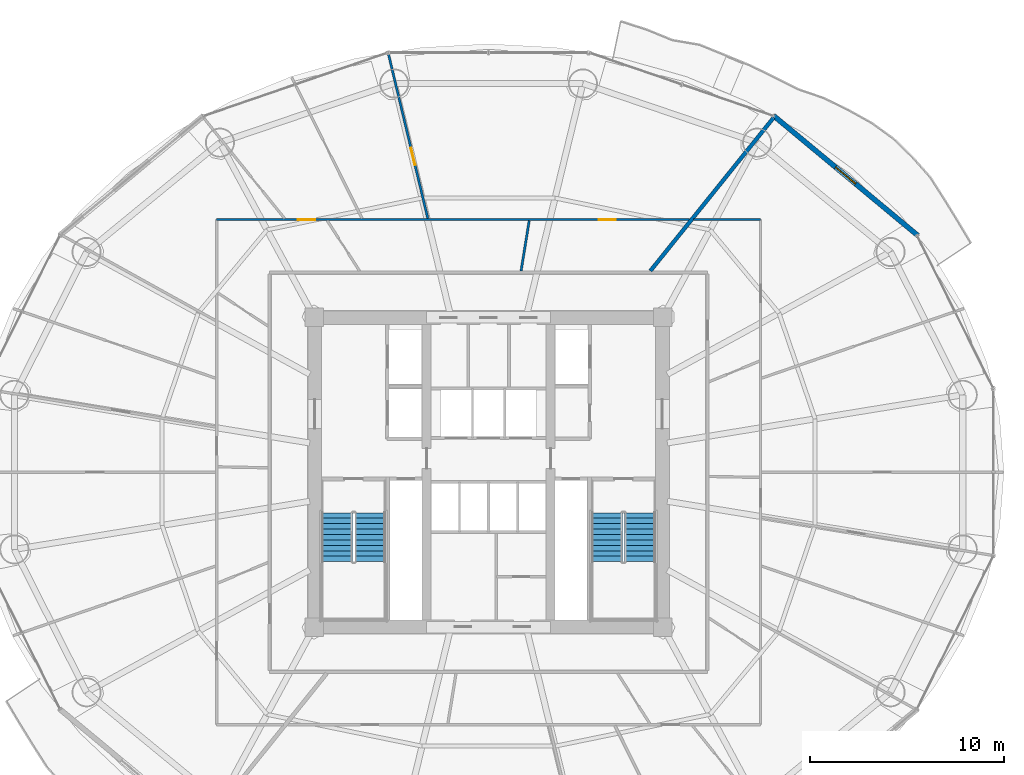
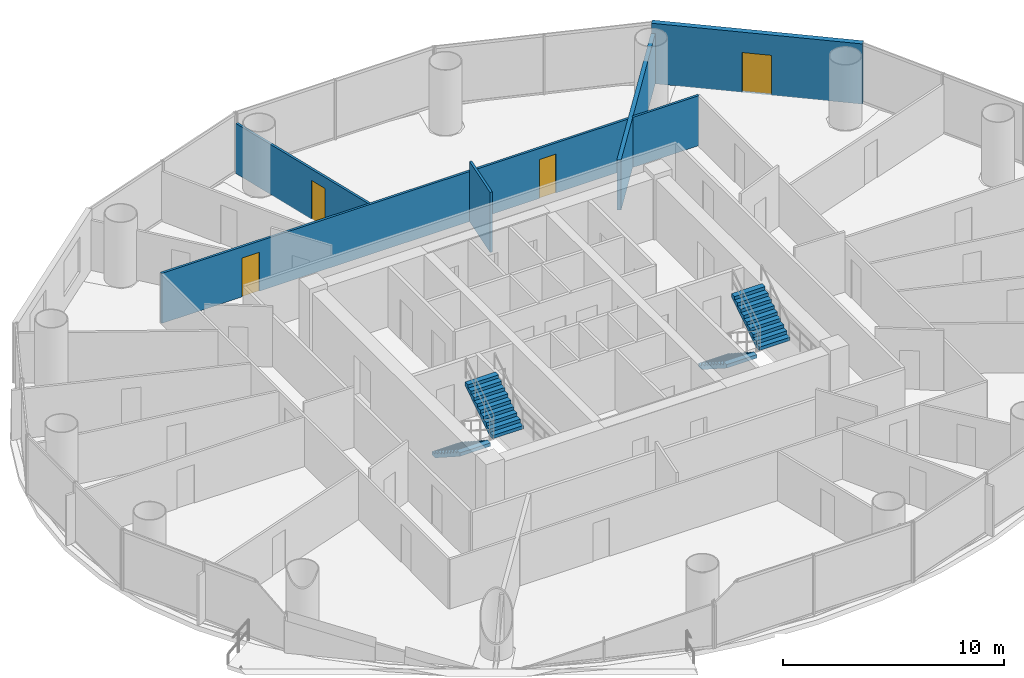
# One storey, part 25 of 29: 6 walls, 4 doors, 4 stair flights, 4 openings, 2 elements without a shape of their own.
"""IFC4 building model written with IfcOpenShell, lengths in metres."""

from ifc_helpers import new_model, si_unit, direction, frame, frame_2d, origin, place, context, subcontext, project, spatial, polyline, rectangle, outline, extrude, source, transform, mapped, material, layer, layer_set, type_object, element, fill, aggregate, save


model = new_model("IFC4")

# Units and contexts
model_context = context("Model", 3, precision=1e-05, world=origin(), true_north=direction((-0.2419218956, 0.970295726276)))
body_context = subcontext(model_context, "Body", "Model", "MODEL_VIEW")
ifc_project = project(units=[si_unit("LENGTHUNIT", "METRE"), si_unit("AREAUNIT", "SQUARE_METRE"), si_unit("VOLUMEUNIT", "CUBIC_METRE"), si_unit("PLANEANGLEUNIT", "RADIAN"), si_unit("MASSUNIT", "GRAM", prefix="KILO")], contexts=[model_context])

# Site, building, storey
site_placement = place(None, origin())
site = spatial("IfcSite", under=ifc_project, at=site_placement, CompositionType="ELEMENT")
building_placement = place(site_placement, origin())
building = spatial("IfcBuilding", under=site, at=building_placement, Name="Cobrevalo Terracotta Tower", CompositionType="ELEMENT")
storey_placement = place(building_placement, frame((0.0, 0.0, 115.800048828125)))
storey = spatial("IfcBuildingStorey", under=building, at=storey_placement, Name="L30", CompositionType="ELEMENT", Elevation=115.800048828125)

# Wall
ifc_material_1 = material(Name="Autoclaved aerated concrete block", Category="concrete")
ifc_layer_1 = layer(ifc_material_1, 0.199951171875)
ifc_layer_set_1 = layer_set([ifc_layer_1], Name="Autoclaved aerated concrete block")
wall_type_1 = type_object("IfcWallType", Name="Fire-rated stair, shaft & demising masonry wall 200 mm", PredefinedType="PARTITIONING", material=ifc_layer_set_1)
wall_1_placement = place(storey_placement, frame((46.35205078125, 37.18505859375, 0.0), z_axis=(0.0, 0.0, 1.0), x_axis=(0.626712884514, 0.779250255299, 0.0)))
element("IfcWall", 1, at=wall_1_placement, inside=storey, type_object=wall_type_1, Name="L30 interior partition IW-L30-DEM-1", PredefinedType="PARTITIONING", context=body_context, shape_type="SweptSolid", body=[
    extrude(rectangle(XDim=10.140869140625, YDim=0.199951171875, at=frame_2d((5.0703125, 0.0))), origin(), (0.0, 0.0, 1.0), 2.766845703125),
])

# Wall, opening, door
ifc_layer_2 = layer(ifc_material_1, 0.260009765625)
ifc_layer_set_2 = layer_set([ifc_layer_2], Name="Autoclaved aerated concrete block")
wall_type_2 = type_object("IfcWallType", Name="Recessed balcony loggia insulated exterior wall 260 mm", PredefinedType="SOLIDWALL", material=ifc_layer_set_2)
wall_2_placement = place(storey_placement, frame((60.15380859375, 39.01025390625, 0.0), z_axis=(0.0, 0.0, 1.0), x_axis=(-0.769242574941, 0.638956853706, 0.0)))
wall_2 = element("IfcWall", 2, at=wall_2_placement, inside=storey, type_object=wall_type_2, Name="L30 balcony loggia wall S02", PredefinedType="SOLIDWALL", context=body_context, shape_type="SweptSolid", body=[
    extrude(rectangle(XDim=9.68994140625, YDim=0.260009765625, at=frame_2d((4.844970703125, 0.0))), origin(), (0.0, 0.0, 1.0), 3.324951171875),
])
opening_1_placement = place(wall_2_placement, frame((4.169921875, 0.0, 0.0)))
opening_1 = element("IfcOpeningElement", 3, at=opening_1_placement, cuts=wall_2, Name="Opening ED-05", PredefinedType="OPENING", context=body_context, shape_type="SweptSolid", body=[
    extrude(rectangle(XDim=1.35009765625, YDim=2.199951171875, at=frame_2d((0.675048828125, 1.10009765625))), frame((0.0, 0.14013671875, 0.0), z_axis=(0.0, -1.0, 0.0), x_axis=(1.0, 0.0, 0.0)), (0.0, 0.0, 1.0), 0.280029296875),
])
ifc_material_2 = material(Name="Anodized aluminium and laminated glass", Category="aluminium")
door_type_1 = type_object("IfcDoorType", Name="Suite balcony acoustic glazed terrace door 1350x2200", OperationType="NOTDEFINED", PredefinedType="DOOR", material=ifc_material_2)
shared_shape_1 = source(origin(), body_context, "Body", "SweptSolid", [
    extrude(rectangle(XDim=1.35009765625, YDim=2.199951171875, at=frame_2d((0.675048828125, 1.10009765625))), frame((0.0, 0.02490234375, 0.0), z_axis=(0.0, -1.0, 0.0), x_axis=(1.0, 0.0, 0.0)), (0.0, 0.0, 1.0), 0.050048828125),
])
door_1_placement = place(opening_1_placement, frame((1.35009765625, 0.0, 0.0), z_axis=(0.0, 0.0, 1.0), x_axis=(-1.0, 0.0, 0.0)))
door_1 = element("IfcDoor", 4, at=door_1_placement, inside=storey, type_object=door_type_1, Name="L30 glazed balcony terrace door 1", OperationType="SINGLE_SWING_LEFT", OverallHeight=2.199951171875, OverallWidth=1.35009765625, PredefinedType="DOOR", context=body_context, shape_type="MappedRepresentation", body=[
    mapped(shared_shape_1, transform((0.0, 0.0, 0.0), scale=1.0)),
])
fill(opening_1, door_1)

# Wall, openings, doors
ifc_material_3 = material(Name="Gypsum board on steel stud", Category="steel")
ifc_layer_3 = layer(ifc_material_3, 0.1201171875)
ifc_layer_set_3 = layer_set([ifc_layer_3], Name="Gypsum board on steel stud")
wall_type_3 = type_object("IfcWallType", Name="Residential internal acoustic stud partition 120 mm", PredefinedType="PARTITIONING", material=ifc_layer_set_3)
wall_3_placement = place(storey_placement, frame((23.965087890625, 39.8349609375, 0.0), z_axis=(0.0, 0.0, 1.0), x_axis=(1.0, 0.0, 0.0)))
wall_3 = element("IfcWall", 5, at=wall_3_placement, inside=storey, type_object=wall_type_3, Name="L30 interior partition IW-L30-U1-RING2_0", PredefinedType="PARTITIONING", context=body_context, shape_type="SweptSolid", body=[
    extrude(rectangle(XDim=24.416015625, YDim=0.1201171875, at=frame_2d((12.2080078125, 0.0))), origin(), (0.0, 0.0, 1.0), 2.766845703125),
])
opening_2_placement = place(wall_3_placement, frame((4.192138671875, 0.0, 0.0)))
opening_2 = element("IfcOpeningElement", 6, at=opening_2_placement, cuts=wall_3, Name="Opening ID-12", PredefinedType="OPENING", context=body_context, shape_type="SweptSolid", body=[
    extrude(rectangle(XDim=0.89990234375, YDim=2.14990234375, at=frame_2d((0.449951171875, 1.074951171875))), frame((0.0, 0.070068359375, 0.0), z_axis=(0.0, -1.0, 0.0), x_axis=(1.0, 0.0, 0.0)), (0.0, 0.0, 1.0), 0.14013671875),
])
opening_3_placement = place(wall_3_placement, frame((19.727783203125, 0.0, 0.0)))
opening_3 = element("IfcOpeningElement", 7, at=opening_3_placement, cuts=wall_3, Name="Opening ID-19", PredefinedType="OPENING", context=body_context, shape_type="SweptSolid", body=[
    extrude(rectangle(XDim=0.860107421875, YDim=2.14990234375, at=frame_2d((0.43017578125, 1.074951171875))), frame((0.0, 0.070068359375, 0.0), z_axis=(0.0, -1.0, 0.0), x_axis=(1.0, 0.0, 0.0)), (0.0, 0.0, 1.0), 0.14013671875),
])
ifc_material_4 = material(Name="Moisture-sealed timber", Category="wood")
door_type_2 = type_object("IfcDoorType", Name="Suite bathroom internal timber door 860x2150", OperationType="NOTDEFINED", PredefinedType="DOOR", material=ifc_material_4)
shared_shape_2 = source(origin(), body_context, "Body", "SweptSolid", [
    extrude(rectangle(XDim=0.860107421875, YDim=2.14990234375, at=frame_2d((0.43017578125, 1.074951171875))), frame((0.0, 0.02490234375, 0.0), z_axis=(0.0, -1.0, 0.0), x_axis=(1.0, 0.0, 0.0)), (0.0, 0.0, 1.0), 0.050048828125),
])
door_2_placement = place(opening_3_placement, frame((0.860107421875, 0.0, 0.0), z_axis=(0.0, 0.0, 1.0), x_axis=(-1.0, 0.0, 0.0)))
door_2 = element("IfcDoor", 8, at=door_2_placement, inside=storey, type_object=door_type_2, Name="Flat L30A Guest Bathroom internal door", OperationType="SINGLE_SWING_RIGHT", OverallHeight=2.14990234375, OverallWidth=0.860107421875, PredefinedType="DOOR", context=body_context, shape_type="MappedRepresentation", body=[
    mapped(shared_shape_2, transform((0.0, 0.0, 0.0), scale=1.0)),
])
fill(opening_3, door_2)
ifc_material_5 = material(Name="Engineered timber", Category="wood")
door_type_3 = type_object("IfcDoorType", Name="Internal residence & suite timber door 900x2150", OperationType="NOTDEFINED", PredefinedType="DOOR", material=ifc_material_5)
shared_shape_3 = source(origin(), body_context, "Body", "SweptSolid", [
    extrude(rectangle(XDim=0.89990234375, YDim=2.14990234375, at=frame_2d((0.449951171875, 1.074951171875))), frame((0.0, 0.02490234375, 0.0), z_axis=(0.0, -1.0, 0.0), x_axis=(1.0, 0.0, 0.0)), (0.0, 0.0, 1.0), 0.050048828125),
])
door_3_placement = place(opening_2_placement, origin())
door_3 = element("IfcDoor", 9, at=door_3_placement, inside=storey, type_object=door_type_3, Name="Flat L30A Principal Guest Bedroom internal door", OperationType="SINGLE_SWING_RIGHT", OverallHeight=2.14990234375, OverallWidth=0.89990234375, PredefinedType="DOOR", context=body_context, shape_type="MappedRepresentation", body=[
    mapped(shared_shape_3, transform((0.0, 0.0, 0.0), scale=1.0)),
])
fill(opening_2, door_3)

# Wall, opening, door
wall_4_placement = place(storey_placement, frame((34.86474609375, 39.895263671875, 0.0), z_axis=(0.0, 0.0, 1.0), x_axis=(-0.23282725047, 0.97251810854, 0.0)))
wall_4 = element("IfcWall", 10, at=wall_4_placement, inside=storey, type_object=wall_type_3, Name="L30 interior partition IW-L30-U1-ORAD1", PredefinedType="PARTITIONING", context=body_context, shape_type="SweptSolid", body=[
    extrude(rectangle(XDim=8.71484375, YDim=0.1201171875, at=frame_2d((4.357421875, 0.0))), origin(), (0.0, 0.0, 1.0), 2.766845703125),
])
opening_4_placement = place(wall_4_placement, frame((2.83056640625, 0.0, 0.0)))
opening_4 = element("IfcOpeningElement", 11, at=opening_4_placement, cuts=wall_4, Name="Opening ID-12", PredefinedType="OPENING", context=body_context, shape_type="SweptSolid", body=[
    extrude(rectangle(XDim=0.89990234375, YDim=2.14990234375, at=frame_2d((0.449951171875, 1.074951171875))), frame((0.0, 0.070068359375, 0.0), z_axis=(0.0, -1.0, 0.0), x_axis=(1.0, 0.0, 0.0)), (0.0, 0.0, 1.0), 0.14013671875),
])
door_4_placement = place(opening_4_placement, frame((0.89990234375, 0.0, 0.0), z_axis=(0.0, 0.0, 1.0), x_axis=(-1.0, 0.0, 0.0)))
door_4 = element("IfcDoor", 12, at=door_4_placement, inside=storey, type_object=door_type_3, Name="Flat L30A Penthouse Living and Dining Room internal door", OperationType="SINGLE_SWING_LEFT", OverallHeight=2.14990234375, OverallWidth=0.89990234375, PredefinedType="DOOR", context=body_context, shape_type="MappedRepresentation", body=[
    mapped(shared_shape_3, transform((0.0, 0.0, 0.0), scale=1.0)),
])
fill(opening_4, door_4)

# Walls
wall_5_placement = place(storey_placement, frame((39.678955078125, 37.18505859375, 0.0), z_axis=(0.0, 0.0, 1.0), x_axis=(0.159580767408, 0.98718487563, 0.0)))
element("IfcWall", 13, at=wall_5_placement, inside=storey, type_object=wall_type_3, Name="L30 interior partition IW-L30-U1-IRAD1", PredefinedType="PARTITIONING", context=body_context, shape_type="SweptSolid", body=[
    extrude(rectangle(XDim=2.622314453125, YDim=0.1201171875, at=frame_2d((1.31103515625, 0.0))), origin(), (0.0, 0.0, 1.0), 3.324951171875),
])
wall_6_placement = place(storey_placement, frame((48.585205078125, 39.8349609375, 0.0), z_axis=(0.0, 0.0, 1.0), x_axis=(1.0, 0.0, 0.0)))
element("IfcWall", 14, at=wall_6_placement, inside=storey, type_object=wall_type_3, Name="L30 interior partition IW-L30-U2-RING0_0", PredefinedType="PARTITIONING", context=body_context, shape_type="SweptSolid", body=[
    extrude(rectangle(XDim=3.44970703125, YDim=0.1201171875, at=frame_2d((1.724853515625, 0.0))), origin(), (0.0, 0.0, 1.0), 2.766845703125),
])

# Stair, stair flights
ifc_material_6 = material(Name="Concrete C50", Category="concrete")
stair_type = type_object("IfcStairType", Name="Core protected escape dogleg stair 1600", PredefinedType="HALF_TURN_STAIR", material=ifc_material_6)
stair_1_placement = place(storey_placement, origin())
stair_1 = element("IfcStair", 15, at=stair_1_placement, inside=storey, type_object=stair_type, Name="L30 Protected exit stair ST-1", PredefinedType="HALF_TURN_STAIR")
stair_flight_type = type_object("IfcStairFlightType", Name="Core protected escape dogleg stair 1600 flight", PredefinedType="STRAIGHT", material=ifc_material_6)
stair_flight_1_placement = place(storey_placement, frame((30.175048828125, 24.699951171875, 0.0), z_axis=(0.0, 0.0, 1.0), x_axis=(0.0, -1.0, 0.0)))
stair_flight_1 = element("IfcStairFlight", 16, at=stair_flight_1_placement, type_object=stair_flight_type, Name="ST-1 flight 1", NumberOfRisers=10, NumberOfTreads=9, PredefinedType="STRAIGHT", RiserHeight=0.18, TreadLength=0.28, context=body_context, shape_type="SweptSolid", body=[
    extrude(outline(polyline([(0.0, 0.0), (0.0, 0.179931640625), (0.280029296875, 0.179931640625), (0.280029296875, 0.360107421875), (0.56005859375, 0.360107421875), (0.56005859375, 0.5400390625), (0.840087890625, 0.5400390625), (0.840087890625, 0.719970703125), (1.1201171875, 0.719970703125), (1.1201171875, 0.89990234375), (1.39990234375, 0.89990234375), (1.39990234375, 1.080078125), (1.679931640625, 1.080078125), (1.679931640625, 1.260009765625), (1.9599609375, 1.260009765625), (1.9599609375, 1.43994140625), (2.239990234375, 1.43994140625), (2.239990234375, 1.6201171875), (2.52001953125, 1.6201171875), (2.52001953125, 1.800048828125), (2.52001953125, 1.429931640625), (0.295654296875, 0.0), (0.0, 0.0)])), frame((0.0, 0.800048828125, 0.0), z_axis=(0.0, -1.0, 0.0), x_axis=(1.0, 0.0, 0.0)), (0.0, 0.0, 1.0), 1.60009765625),
])
stair_flight_2_placement = place(storey_placement, frame((31.89501953125, 22.179931640625, 1.800048828125), z_axis=(0.0, 0.0, 1.0), x_axis=(0.0, 1.0, 0.0)))
stair_flight_2 = element("IfcStairFlight", 17, at=stair_flight_2_placement, type_object=stair_flight_type, Name="ST-1 flight 2", NumberOfRisers=10, NumberOfTreads=9, PredefinedType="STRAIGHT", RiserHeight=0.18, TreadLength=0.28, context=body_context, shape_type="SweptSolid", body=[
    extrude(outline(polyline([(0.0, 0.0), (0.0, 0.179931640625), (0.280029296875, 0.179931640625), (0.280029296875, 0.360107421875), (0.56005859375, 0.360107421875), (0.56005859375, 0.5400390625), (0.840087890625, 0.5400390625), (0.840087890625, 0.719970703125), (1.1201171875, 0.719970703125), (1.1201171875, 0.89990234375), (1.39990234375, 0.89990234375), (1.39990234375, 1.080078125), (1.679931640625, 1.080078125), (1.679931640625, 1.260009765625), (1.9599609375, 1.260009765625), (1.9599609375, 1.43994140625), (2.239990234375, 1.43994140625), (2.239990234375, 1.6201171875), (2.52001953125, 1.6201171875), (2.52001953125, 1.800048828125), (2.52001953125, 1.429931640625), (0.295654296875, 0.0), (0.0, 0.0)])), frame((0.0, 0.800048828125, 0.0), z_axis=(0.0, -1.0, 0.0), x_axis=(1.0, 0.0, 0.0)), (0.0, 0.0, 1.0), 1.60009765625),
])
aggregate(stair_1, [stair_flight_1, stair_flight_2])

stair_2_placement = place(storey_placement, origin())
stair_2 = element("IfcStair", 18, at=stair_2_placement, inside=storey, type_object=stair_type, Name="L30 Protected exit stair ST-2", PredefinedType="HALF_TURN_STAIR")
stair_flight_3_placement = place(storey_placement, frame((44.10498046875, 24.699951171875, 0.0), z_axis=(0.0, 0.0, 1.0), x_axis=(0.0, -1.0, 0.0)))
stair_flight_3 = element("IfcStairFlight", 19, at=stair_flight_3_placement, type_object=stair_flight_type, Name="ST-2 flight 1", NumberOfRisers=10, NumberOfTreads=9, PredefinedType="STRAIGHT", RiserHeight=0.18, TreadLength=0.28, context=body_context, shape_type="SweptSolid", body=[
    extrude(outline(polyline([(0.0, 0.0), (0.0, 0.179931640625), (0.280029296875, 0.179931640625), (0.280029296875, 0.360107421875), (0.56005859375, 0.360107421875), (0.56005859375, 0.5400390625), (0.840087890625, 0.5400390625), (0.840087890625, 0.719970703125), (1.1201171875, 0.719970703125), (1.1201171875, 0.89990234375), (1.39990234375, 0.89990234375), (1.39990234375, 1.080078125), (1.679931640625, 1.080078125), (1.679931640625, 1.260009765625), (1.9599609375, 1.260009765625), (1.9599609375, 1.43994140625), (2.239990234375, 1.43994140625), (2.239990234375, 1.6201171875), (2.52001953125, 1.6201171875), (2.52001953125, 1.800048828125), (2.52001953125, 1.429931640625), (0.295654296875, 0.0), (0.0, 0.0)])), frame((0.0, 0.800048828125, 0.0), z_axis=(0.0, -1.0, 0.0), x_axis=(1.0, 0.0, 0.0)), (0.0, 0.0, 1.0), 1.60009765625),
])
stair_flight_4_placement = place(storey_placement, frame((45.824951171875, 22.179931640625, 1.800048828125), z_axis=(0.0, 0.0, 1.0), x_axis=(0.0, 1.0, 0.0)))
stair_flight_4 = element("IfcStairFlight", 20, at=stair_flight_4_placement, type_object=stair_flight_type, Name="ST-2 flight 2", NumberOfRisers=10, NumberOfTreads=9, PredefinedType="STRAIGHT", RiserHeight=0.18, TreadLength=0.28, context=body_context, shape_type="SweptSolid", body=[
    extrude(outline(polyline([(0.0, 0.0), (0.0, 0.179931640625), (0.280029296875, 0.179931640625), (0.280029296875, 0.360107421875), (0.56005859375, 0.360107421875), (0.56005859375, 0.5400390625), (0.840087890625, 0.5400390625), (0.840087890625, 0.719970703125), (1.1201171875, 0.719970703125), (1.1201171875, 0.89990234375), (1.39990234375, 0.89990234375), (1.39990234375, 1.080078125), (1.679931640625, 1.080078125), (1.679931640625, 1.260009765625), (1.9599609375, 1.260009765625), (1.9599609375, 1.43994140625), (2.239990234375, 1.43994140625), (2.239990234375, 1.6201171875), (2.52001953125, 1.6201171875), (2.52001953125, 1.800048828125), (2.52001953125, 1.429931640625), (0.295654296875, 0.0), (0.0, 0.0)])), frame((0.0, 0.800048828125, 0.0), z_axis=(0.0, -1.0, 0.0), x_axis=(1.0, 0.0, 0.0)), (0.0, 0.0, 1.0), 1.60009765625),
])
aggregate(stair_2, [stair_flight_3, stair_flight_4])

save(model, "model.ifc")
